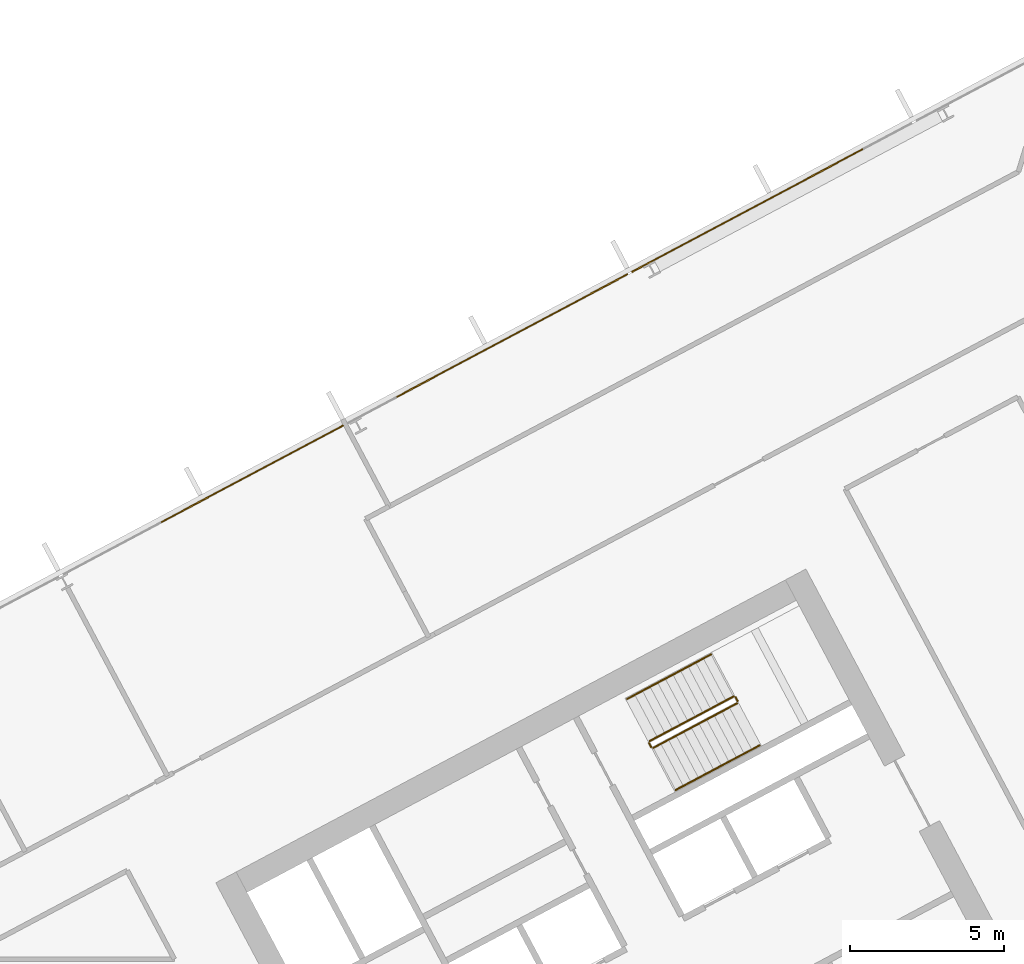
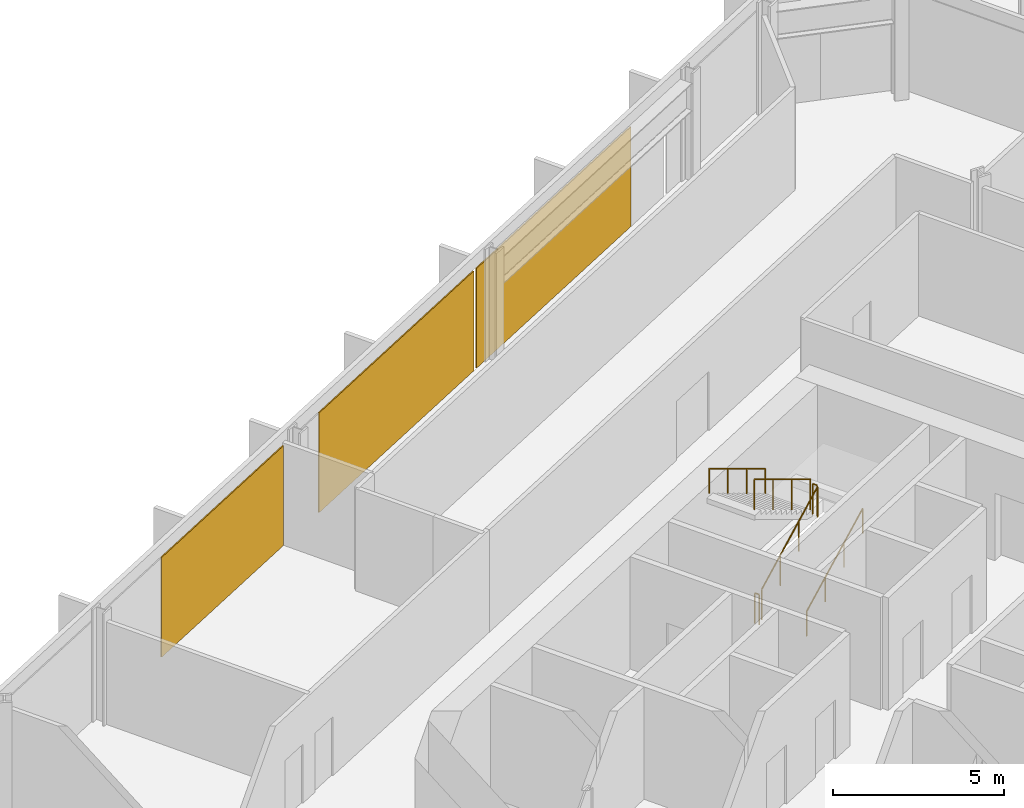
# One storey, part 32 of 34: 6 railings, 3 coverings, 1 element without a shape of its own.
"""IFC4 building model written with IfcOpenShell, lengths in metres."""

from ifc_helpers import new_model, si_unit, direction, frame, origin, origin_2d, place, context, subcontext, project, spatial, polyline, rectangle, outline, extrude, material, layer, layer_set, type_object, element, aggregate, save


model = new_model("IFC4")

# Units and contexts
model_context = context("Model", 3, precision=1e-05, world=origin(), true_north=direction((0.0, 1.0)))
body_context = subcontext(model_context, "Body", "Model", "MODEL_VIEW")
ifc_project = project(units=[si_unit("LENGTHUNIT", "METRE"), si_unit("AREAUNIT", "SQUARE_METRE"), si_unit("VOLUMEUNIT", "CUBIC_METRE"), si_unit("PLANEANGLEUNIT", "RADIAN"), si_unit("MASSUNIT", "GRAM", prefix="KILO")], contexts=[model_context])

# Site, building, storey
site_placement = place(None, origin())
site = spatial("IfcSite", under=ifc_project, at=site_placement, CompositionType="ELEMENT")
building_placement = place(site_placement, origin())
building = spatial("IfcBuilding", under=site, at=building_placement, Name="Cormorant Relay Tower", CompositionType="ELEMENT")
storey_placement = place(building_placement, frame((0.0, 0.0, 118.199951171875)))
storey = spatial("IfcBuildingStorey", under=building, at=storey_placement, Name="L23", CompositionType="ELEMENT", Elevation=118.199951171875)

# Curtain wall, coverings
ifc_material_1 = material(Name="Aluminium 6063-T6 anodised bronze", Category="aluminium")
ifc_layer_1 = layer(ifc_material_1, 0.199951171875)
ifc_layer_set_1 = layer_set([ifc_layer_1], Name="CW1 unitised bronze curtain wall with vertical fins")
curtain_wall_type = type_object("IfcCurtainWallType", Name="CW1 unitised bronze curtain wall with vertical fins", PredefinedType="NOTDEFINED", material=ifc_layer_set_1)
curtain_wall_placement = place(storey_placement, origin())
curtain_wall = element("IfcCurtainWall", 1, at=curtain_wall_placement, inside=storey, type_object=curtain_wall_type, Name="CW1 curtain wall 8", PredefinedType="NOTDEFINED")
ifc_material_2 = material(Name="Pale bronze anodised aluminium insulated panel", Category="aluminium")
ifc_layer_2 = layer(ifc_material_2, 0.0400390625)
ifc_layer_set_2 = layer_set([ifc_layer_2], Name="CW1 pale bronze insulated panel 40")
covering_type = type_object("IfcCoveringType", Name="CW1 pale bronze insulated panel 40", PredefinedType="CLADDING", material=ifc_layer_set_2)
covering_1_placement = place(storey_placement, frame((26.89892578125, 38.10888671875, 0.0), z_axis=(0.0, 0.0, 1.0), x_axis=(-0.882947592859, -0.469471562786, 0.0)))
covering_1 = element("IfcCovering", 2, at=covering_1_placement, type_object=covering_type, Name="CW1 panel S02", PredefinedType="CLADDING", context=body_context, shape_type="SweptSolid", body=[
    extrude(rectangle(XDim=8.508544921875, YDim=0.0400390625, at=origin_2d()), origin(), (0.0, 0.0, 1.0), 3.550048828125),
])
covering_2_placement = place(storey_placement, frame((19.25390625, 34.044189453125, 0.0), z_axis=(0.0, 0.0, 1.0), x_axis=(-0.882947592859, -0.469471562786, 0.0)))
covering_2 = element("IfcCovering", 3, at=covering_2_placement, type_object=covering_type, Name="CW1 panel S03", PredefinedType="CLADDING", context=body_context, shape_type="SweptSolid", body=[
    extrude(rectangle(XDim=8.508544921875, YDim=0.0400390625, at=origin_2d()), origin(), (0.0, 0.0, 1.0), 3.550048828125),
])
covering_3_placement = place(storey_placement, frame((10.814208984375, 29.556640625, 0.0), z_axis=(0.0, 0.0, 1.0), x_axis=(-0.882947592859, -0.469471562786, 0.0)))
covering_3 = element("IfcCovering", 4, at=covering_3_placement, type_object=covering_type, Name="CW1 panel S05", PredefinedType="CLADDING", context=body_context, shape_type="SweptSolid", body=[
    extrude(rectangle(XDim=6.70849609375, YDim=0.0400390625, at=origin_2d()), origin(), (0.0, 0.0, 1.0), 3.550048828125),
])
aggregate(curtain_wall, [covering_1, covering_2, covering_3])

# Railings
ifc_material_3 = material(Name="Steel ASTM A572 Grade 50 (Fy 345 MPa)", Category="steel")
railing_type_1 = type_object("IfcRailingType", Name="Stair guard 1100", PredefinedType="GUARDRAIL", material=ifc_material_3)
railing_1_placement = place(storey_placement, frame((23.8408203125, 20.6611328125, 0.166748046875)))
element("IfcRailing", 5, at=railing_1_placement, inside=storey, type_object=railing_type_1, Name="L23 B2 stair guard 1", PredefinedType="GUARDRAIL", context=body_context, shape_type="SweptSolid", body=[
    extrude(outline(polyline([(0.022216796875, 0.00927734375), (0.00927734375, 0.022216796875), (-0.00927734375, 0.022216796875), (-0.022216796875, 0.00927734375), (-0.022216796875, -0.00927734375), (-0.00927734375, -0.022216796875), (0.00927734375, -0.022216796875), (0.022216796875, -0.00927734375), (0.022216796875, 0.00927734375)])), frame((0.0, 0.0, 1.076171875), z_axis=(0.758734504837, 0.403377838015, 0.511476559549), x_axis=(-0.469427602063, 0.882970965786, 0.0)), (0.0, 0.0, 1.0), 3.584228515625),
    extrude(outline(polyline([(0.019287109375, 0.008056640625), (0.008056640625, 0.019287109375), (-0.008056640625, 0.019287109375), (-0.019287109375, 0.008056640625), (-0.019287109375, -0.008056640625), (-0.008056640625, -0.019287109375), (0.008056640625, -0.019287109375), (0.019287109375, -0.008056640625), (0.019287109375, 0.008056640625)])), origin(), (0.0, 0.0, 1.0), 1.052001953125),
    extrude(outline(polyline([(0.019287109375, 0.008056640625), (0.008056640625, 0.019287109375), (-0.008056640625, 0.019287109375), (-0.019287109375, 0.008056640625), (-0.019287109375, -0.008056640625), (-0.008056640625, -0.019287109375), (0.008056640625, -0.019287109375), (0.019287109375, -0.008056640625), (0.019287109375, 0.008056640625)])), frame((0.906494140625, 0.48193359375, 0.611083984375)), (0.0, 0.0, 1.0), 1.052001953125),
    extrude(outline(polyline([(0.019287109375, 0.008056640625), (0.008056640625, 0.019287109375), (-0.008056640625, 0.019287109375), (-0.019287109375, 0.008056640625), (-0.019287109375, -0.008056640625), (-0.008056640625, -0.019287109375), (0.008056640625, -0.019287109375), (0.019287109375, -0.008056640625), (0.019287109375, 0.008056640625)])), frame((1.81298828125, 0.9638671875, 1.22216796875)), (0.0, 0.0, 1.0), 1.052001953125),
    extrude(outline(polyline([(0.019287109375, 0.008056640625), (0.008056640625, 0.019287109375), (-0.008056640625, 0.019287109375), (-0.019287109375, 0.008056640625), (-0.019287109375, -0.008056640625), (-0.008056640625, -0.019287109375), (0.008056640625, -0.019287109375), (0.019287109375, -0.008056640625), (0.019287109375, 0.008056640625)])), frame((2.719482421875, 1.44580078125, 1.833251953125)), (0.0, 0.0, 1.0), 1.052001953125),
])
railing_2_placement = place(storey_placement, frame((26.5810546875, 22.174560546875, 2.0)))
element("IfcRailing", 6, at=railing_2_placement, inside=storey, type_object=railing_type_1, Name="L23 B2 stair guard 2", PredefinedType="GUARDRAIL", context=body_context, shape_type="SweptSolid", body=[
    extrude(outline(polyline([(0.022216796875, 0.00927734375), (0.00927734375, 0.022216796875), (-0.00927734375, 0.022216796875), (-0.022216796875, 0.00927734375), (-0.022216796875, -0.00927734375), (-0.00927734375, -0.022216796875), (0.00927734375, -0.022216796875), (0.022216796875, -0.00927734375), (0.022216796875, 0.00927734375)])), frame((0.0, 0.0, 1.076171875), z_axis=(-0.469828648786, 0.882757634224, 0.0), x_axis=(-0.882757634224, -0.469828648786, 0.0)), (0.0, 0.0, 1.0), 0.150146484375),
    extrude(outline(polyline([(0.019287109375, 0.008056640625), (0.008056640625, 0.019287109375), (-0.008056640625, 0.019287109375), (-0.019287109375, 0.008056640625), (-0.019287109375, -0.008056640625), (-0.008056640625, -0.019287109375), (0.008056640625, -0.019287109375), (0.019287109375, -0.008056640625), (0.019287109375, 0.008056640625)])), origin(), (0.0, 0.0, 1.0), 1.052001953125),
    extrude(outline(polyline([(0.019287109375, 0.008056640625), (0.008056640625, 0.019287109375), (-0.008056640625, 0.019287109375), (-0.019287109375, 0.008056640625), (-0.019287109375, -0.008056640625), (-0.008056640625, -0.019287109375), (0.008056640625, -0.019287109375), (0.019287109375, -0.008056640625), (0.019287109375, 0.008056640625)])), frame((-0.070556640625, 0.132568359375, 0.0)), (0.0, 0.0, 1.0), 1.052001953125),
])
railing_3_placement = place(storey_placement, frame((26.44287109375, 22.32763671875, 2.166748046875)))
element("IfcRailing", 7, at=railing_3_placement, inside=storey, type_object=railing_type_1, Name="L23 B2 stair guard 3", PredefinedType="GUARDRAIL", context=body_context, shape_type="SweptSolid", body=[
    extrude(outline(polyline([(0.022216796875, 0.00927734375), (0.00927734375, 0.022216796875), (-0.00927734375, 0.022216796875), (-0.022216796875, 0.00927734375), (-0.022216796875, -0.00927734375), (-0.00927734375, -0.022216796875), (0.00927734375, -0.022216796875), (0.022216796875, -0.00927734375), (0.022216796875, 0.00927734375)])), frame((0.0, 0.0, 1.076171875), z_axis=(-0.758734504837, -0.403377838015, 0.511476559549), x_axis=(0.469427602063, -0.882970965786, 0.0)), (0.0, 0.0, 1.0), 3.584228515625),
    extrude(outline(polyline([(0.019287109375, 0.008056640625), (0.008056640625, 0.019287109375), (-0.008056640625, 0.019287109375), (-0.019287109375, 0.008056640625), (-0.019287109375, -0.008056640625), (-0.008056640625, -0.019287109375), (0.008056640625, -0.019287109375), (0.019287109375, -0.008056640625), (0.019287109375, 0.008056640625)])), origin(), (0.0, 0.0, 1.0), 1.052001953125),
    extrude(outline(polyline([(0.019287109375, 0.008056640625), (0.008056640625, 0.019287109375), (-0.008056640625, 0.019287109375), (-0.019287109375, 0.008056640625), (-0.019287109375, -0.008056640625), (-0.008056640625, -0.019287109375), (0.008056640625, -0.019287109375), (0.019287109375, -0.008056640625), (0.019287109375, 0.008056640625)])), frame((-0.906494140625, -0.48193359375, 0.611083984375)), (0.0, 0.0, 1.0), 1.052001953125),
    extrude(outline(polyline([(0.019287109375, 0.008056640625), (0.008056640625, 0.019287109375), (-0.008056640625, 0.019287109375), (-0.019287109375, 0.008056640625), (-0.019287109375, -0.008056640625), (-0.008056640625, -0.019287109375), (0.008056640625, -0.019287109375), (0.019287109375, -0.008056640625), (0.019287109375, 0.008056640625)])), frame((-1.81298828125, -0.9638671875, 1.22216796875)), (0.0, 0.0, 1.0), 1.052001953125),
    extrude(outline(polyline([(0.019287109375, 0.008056640625), (0.008056640625, 0.019287109375), (-0.008056640625, 0.019287109375), (-0.019287109375, 0.008056640625), (-0.019287109375, -0.008056640625), (-0.008056640625, -0.019287109375), (0.008056640625, -0.019287109375), (0.019287109375, -0.008056640625), (0.019287109375, 0.008056640625)])), frame((-2.719482421875, -1.44580078125, 1.833251953125)), (0.0, 0.0, 1.0), 1.052001953125),
])
railing_4_placement = place(storey_placement, frame((23.773193359375, 20.681640625, 0.0)))
element("IfcRailing", 8, at=railing_4_placement, inside=storey, type_object=railing_type_1, Name="L23 B2 stair guard 4", PredefinedType="GUARDRAIL", context=body_context, shape_type="SweptSolid", body=[
    extrude(outline(polyline([(0.022216796875, 0.00927734375), (0.00927734375, 0.022216796875), (-0.00927734375, 0.022216796875), (-0.022216796875, 0.00927734375), (-0.022216796875, -0.00927734375), (-0.00927734375, -0.022216796875), (0.00927734375, -0.022216796875), (0.022216796875, -0.00927734375), (0.022216796875, 0.00927734375)])), frame((0.0, 0.0, 1.076171875), z_axis=(-0.46856034887, 0.8834314911, 0.0), x_axis=(-0.8834314911, -0.46856034887, 0.0)), (0.0, 0.0, 1.0), 0.150146484375),
    extrude(outline(polyline([(0.019287109375, 0.008056640625), (0.008056640625, 0.019287109375), (-0.008056640625, 0.019287109375), (-0.019287109375, 0.008056640625), (-0.019287109375, -0.008056640625), (-0.008056640625, -0.019287109375), (0.008056640625, -0.019287109375), (0.019287109375, -0.008056640625), (0.019287109375, 0.008056640625)])), origin(), (0.0, 0.0, 1.0), 1.052001953125),
    extrude(outline(polyline([(0.019287109375, 0.008056640625), (0.008056640625, 0.019287109375), (-0.008056640625, 0.019287109375), (-0.019287109375, 0.008056640625), (-0.019287109375, -0.008056640625), (-0.008056640625, -0.019287109375), (0.008056640625, -0.019287109375), (0.019287109375, -0.008056640625), (0.019287109375, 0.008056640625)])), frame((-0.0703125, 0.132568359375, 0.0)), (0.0, 0.0, 1.0), 1.052001953125),
])
ifc_material_4 = material(Name="Steel ASTM A572 Grade 50 (Fy 345 MPa)", Category="steel")
railing_type_2 = type_object("IfcRailingType", Name="Stair handrail 900", PredefinedType="HANDRAIL", material=ifc_material_4)
railing_5_placement = place(storey_placement, frame((24.568603515625, 19.29248046875, 0.166748046875)))
element("IfcRailing", 9, at=railing_5_placement, inside=storey, type_object=railing_type_2, Name="L23 B2 stair handrail 1", PredefinedType="HANDRAIL", context=body_context, shape_type="SweptSolid", body=[
    extrude(outline(polyline([(0.022216796875, 0.00927734375), (0.00927734375, 0.022216796875), (-0.00927734375, 0.022216796875), (-0.022216796875, 0.00927734375), (-0.022216796875, -0.00927734375), (-0.00927734375, -0.022216796875), (0.00927734375, -0.022216796875), (0.022216796875, -0.00927734375), (0.022216796875, 0.00927734375)])), frame((0.0, 0.0, 0.8759765625), z_axis=(0.758713656843, 0.403434867536, 0.511462505542), x_axis=(-0.469489399267, 0.882938108802, 0.0)), (0.0, 0.0, 1.0), 3.584228515625),
    extrude(outline(polyline([(0.019287109375, 0.008056640625), (0.008056640625, 0.019287109375), (-0.008056640625, 0.019287109375), (-0.019287109375, 0.008056640625), (-0.019287109375, -0.008056640625), (-0.008056640625, -0.019287109375), (0.008056640625, -0.019287109375), (0.019287109375, -0.008056640625), (0.019287109375, 0.008056640625)])), origin(), (0.0, 0.0, 1.0), 0.851806640625),
    extrude(outline(polyline([(0.019287109375, 0.008056640625), (0.008056640625, 0.019287109375), (-0.008056640625, 0.019287109375), (-0.019287109375, 0.008056640625), (-0.019287109375, -0.008056640625), (-0.008056640625, -0.019287109375), (0.008056640625, -0.019287109375), (0.019287109375, -0.008056640625), (0.019287109375, 0.008056640625)])), frame((0.906494140625, 0.48193359375, 0.611083984375)), (0.0, 0.0, 1.0), 0.851806640625),
    extrude(outline(polyline([(0.019287109375, 0.008056640625), (0.008056640625, 0.019287109375), (-0.008056640625, 0.019287109375), (-0.019287109375, 0.008056640625), (-0.019287109375, -0.008056640625), (-0.008056640625, -0.019287109375), (0.008056640625, -0.019287109375), (0.019287109375, -0.008056640625), (0.019287109375, 0.008056640625)])), frame((1.81298828125, 0.964111328125, 1.22216796875)), (0.0, 0.0, 1.0), 0.851806640625),
    extrude(outline(polyline([(0.019287109375, 0.008056640625), (0.008056640625, 0.019287109375), (-0.008056640625, 0.019287109375), (-0.019287109375, 0.008056640625), (-0.019287109375, -0.008056640625), (-0.008056640625, -0.019287109375), (0.008056640625, -0.019287109375), (0.019287109375, -0.008056640625), (0.019287109375, 0.008056640625)])), frame((2.719482421875, 1.446044921875, 1.833251953125)), (0.0, 0.0, 1.0), 0.851806640625),
])
railing_6_placement = place(storey_placement, frame((25.71533203125, 23.6962890625, 2.166748046875)))
element("IfcRailing", 10, at=railing_6_placement, inside=storey, type_object=railing_type_2, Name="L23 B2 stair handrail 2", PredefinedType="HANDRAIL", context=body_context, shape_type="SweptSolid", body=[
    extrude(outline(polyline([(0.022216796875, 0.00927734375), (0.00927734375, 0.022216796875), (-0.00927734375, 0.022216796875), (-0.022216796875, 0.00927734375), (-0.022216796875, -0.00927734375), (-0.00927734375, -0.022216796875), (0.00927734375, -0.022216796875), (0.022216796875, -0.00927734375), (0.022216796875, 0.00927734375)])), frame((0.0, 0.0, 0.8759765625), z_axis=(-0.758713656843, -0.403434867536, 0.511462505542), x_axis=(0.469489399267, -0.882938108802, 0.0)), (0.0, 0.0, 1.0), 3.584228515625),
    extrude(outline(polyline([(0.019287109375, 0.008056640625), (0.008056640625, 0.019287109375), (-0.008056640625, 0.019287109375), (-0.019287109375, 0.008056640625), (-0.019287109375, -0.008056640625), (-0.008056640625, -0.019287109375), (0.008056640625, -0.019287109375), (0.019287109375, -0.008056640625), (0.019287109375, 0.008056640625)])), origin(), (0.0, 0.0, 1.0), 0.851806640625),
    extrude(outline(polyline([(0.019287109375, 0.008056640625), (0.008056640625, 0.019287109375), (-0.008056640625, 0.019287109375), (-0.019287109375, 0.008056640625), (-0.019287109375, -0.008056640625), (-0.008056640625, -0.019287109375), (0.008056640625, -0.019287109375), (0.019287109375, -0.008056640625), (0.019287109375, 0.008056640625)])), frame((-0.906494140625, -0.48193359375, 0.611083984375)), (0.0, 0.0, 1.0), 0.851806640625),
    extrude(outline(polyline([(0.019287109375, 0.008056640625), (0.008056640625, 0.019287109375), (-0.008056640625, 0.019287109375), (-0.019287109375, 0.008056640625), (-0.019287109375, -0.008056640625), (-0.008056640625, -0.019287109375), (0.008056640625, -0.019287109375), (0.019287109375, -0.008056640625), (0.019287109375, 0.008056640625)])), frame((-1.81298828125, -0.964111328125, 1.22216796875)), (0.0, 0.0, 1.0), 0.851806640625),
    extrude(outline(polyline([(0.019287109375, 0.008056640625), (0.008056640625, 0.019287109375), (-0.008056640625, 0.019287109375), (-0.019287109375, 0.008056640625), (-0.019287109375, -0.008056640625), (-0.008056640625, -0.019287109375), (0.008056640625, -0.019287109375), (0.019287109375, -0.008056640625), (0.019287109375, 0.008056640625)])), frame((-2.719482421875, -1.446044921875, 1.833251953125)), (0.0, 0.0, 1.0), 0.851806640625),
])

save(model, "model.ifc")
